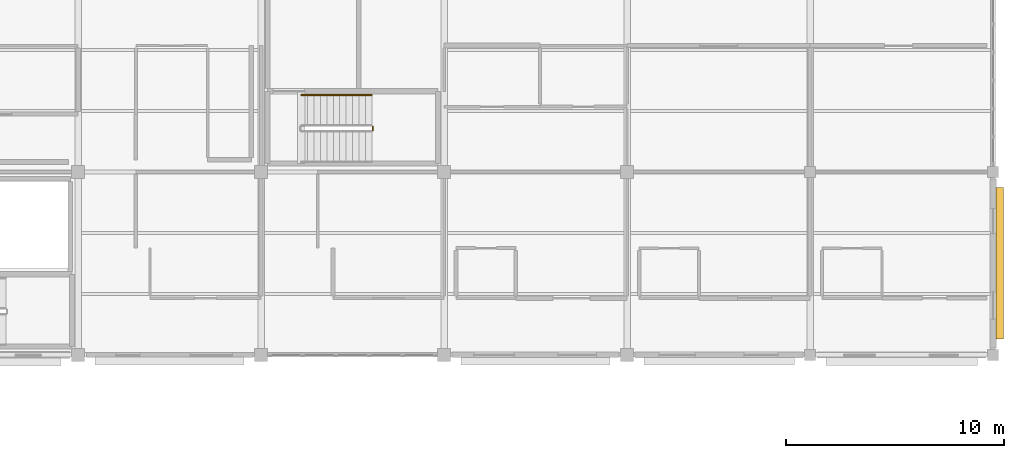
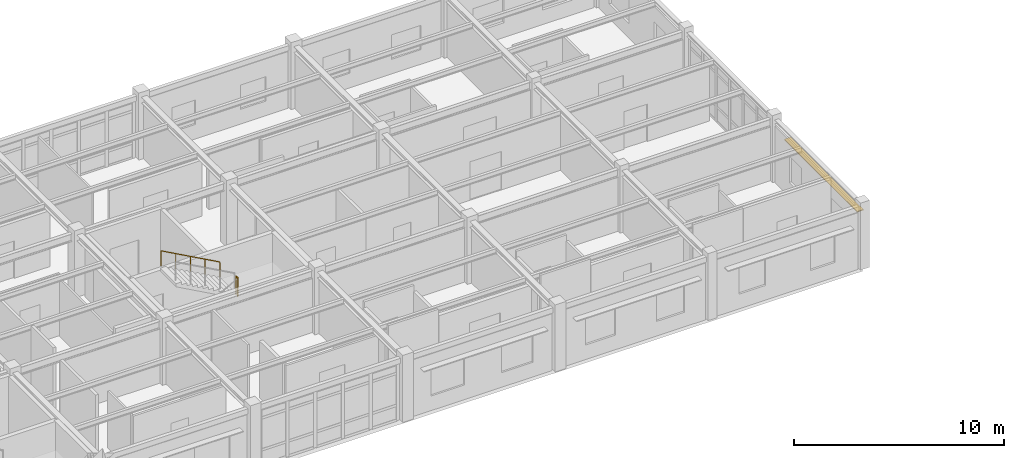
# One storey, part 85 of 86: 2 railings, 1 shading device.
"""IFC4 building model written with IfcOpenShell, lengths in metres."""

from ifc_helpers import new_model, si_unit, direction, frame, origin, origin_2d, place, context, subcontext, project, spatial, rectangle, circle, extrude, material, material_profile, profile_set, type_object, element, save


model = new_model("IFC4")

# Units and contexts
model_context = context("Model", 3, precision=1e-05, world=origin(), true_north=direction((0.0, 1.0)))
body_context = subcontext(model_context, "Body", "Model", "MODEL_VIEW")
ifc_project = project(units=[si_unit("LENGTHUNIT", "METRE"), si_unit("AREAUNIT", "SQUARE_METRE"), si_unit("VOLUMEUNIT", "CUBIC_METRE"), si_unit("PLANEANGLEUNIT", "RADIAN"), si_unit("MASSUNIT", "GRAM", prefix="KILO")], contexts=[model_context])

# Site, building, storey
site_placement = place(None, origin())
site = spatial("IfcSite", under=ifc_project, at=site_placement, CompositionType="ELEMENT")
building_placement = place(site_placement, origin())
building = spatial("IfcBuilding", under=site, at=building_placement, Name="Bramfleet General Hospital", CompositionType="ELEMENT")
storey_placement = place(building_placement, frame((0.0, 0.0, 18.60009765625)))
storey = spatial("IfcBuildingStorey", under=building, at=storey_placement, Name="L04", CompositionType="ELEMENT", Elevation=18.60009765625)

# Railings
ifc_material_1 = material(Name="Powder-coated steel stair balustrade", Category="steel")
railing_type_1 = type_object("IfcRailingType", Name="RAIL-ST-GUARD", PredefinedType="GUARDRAIL", material=ifc_material_1)
railing_1_placement = place(storey_placement, frame((139.534912109375, 102.719970703125, 1.949951171875)))
element("IfcRailing", 1, at=railing_1_placement, inside=storey, type_object=railing_type_1, Name="L04 ST-C9 stair guard 2", PredefinedType="GUARDRAIL", context=body_context, shape_type="SweptSolid", body=[
    extrude(circle(Radius=0.02392578125, at=origin_2d()), frame((0.0, 0.0, 1.076171875), z_axis=(0.0, 1.0, 0.0), x_axis=(-1.0, 0.0, 0.0)), (0.0, 0.0, 1.0), 0.159912109375),
    extrude(circle(Radius=0.02099609375, at=origin_2d()), origin(), (0.0, 0.0, 1.0), 1.052001953125),
    extrude(circle(Radius=0.02099609375, at=origin_2d()), frame((0.0, 0.159912109375, 0.0)), (0.0, 0.0, 1.0), 1.052001953125),
])
ifc_material_2 = material(Name="Stainless steel 1.4301 stair handrail", Category="steel")
railing_type_2 = type_object("IfcRailingType", Name="RAIL-ST-HND", PredefinedType="HANDRAIL", material=ifc_material_2)
railing_2_placement = place(storey_placement, frame((139.485107421875, 104.330078125, 2.1123046875)))
element("IfcRailing", 2, at=railing_2_placement, inside=storey, type_object=railing_type_2, Name="L04 ST-C9 stair handrail 2", PredefinedType="HANDRAIL", context=body_context, shape_type="SweptSolid", body=[
    extrude(circle(Radius=0.02392578125, at=origin_2d()), frame((0.0, 0.0, 0.8759765625), z_axis=(-0.875898504189, 0.0, 0.482495399314), x_axis=(0.0, -1.0, 0.0)), (0.0, 0.0, 1.0), 3.704833984375),
    extrude(circle(Radius=0.02099609375, at=origin_2d()), origin(), (0.0, 0.0, 1.0), 0.851806640625),
    extrude(circle(Radius=0.02099609375, at=origin_2d()), frame((-0.811279296875, 0.0, 0.44677734375)), (0.0, 0.0, 1.0), 0.851806640625),
    extrude(circle(Radius=0.02099609375, at=origin_2d()), frame((-1.62255859375, 0.0, 0.893798828125)), (0.0, 0.0, 1.0), 0.851806640625),
    extrude(circle(Radius=0.02099609375, at=origin_2d()), frame((-2.433837890625, 0.0, 1.3408203125)), (0.0, 0.0, 1.0), 0.851806640625),
    extrude(circle(Radius=0.02099609375, at=origin_2d()), frame((-3.2451171875, 0.0, 1.78759765625)), (0.0, 0.0, 1.0), 0.851806640625),
])

# Shading device
ifc_material_3 = material(Name="Anodised aluminium EN AW-6063", Category="aluminium")
ifc_material_profile = material_profile(ifc_material_3, rectangle(XDim=0.050048828125, YDim=0.35009765625, at=origin_2d()), Name="ALU LOUVRE 350x50")
ifc_profile_set = profile_set([ifc_material_profile], Name="Anodised aluminium EN AW-6063")
shading_device_type = type_object("IfcShadingDeviceType", Name="SHD-LVR-350", PredefinedType="USERDEFINED", material=ifc_profile_set)
shading_device_placement = place(storey_placement, frame((168.3076171875, 100.074951171875, 2.669921875), z_axis=(0.0, -1.0, 0.0), x_axis=(0.0, 0.0, 1.0)))
element("IfcShadingDevice", 3, at=shading_device_placement, inside=storey, type_object=shading_device_type, Name="L04 Solar Shading Louvre 8", ObjectType="Louvre", PredefinedType="USERDEFINED", context=body_context, shape_type="SweptSolid", body=[
    extrude(rectangle(XDim=0.050048828125, YDim=0.35009765625, at=origin_2d()), origin(), (0.0, 0.0, 1.0), 6.949951171875),
])

save(model, "model.ifc")
